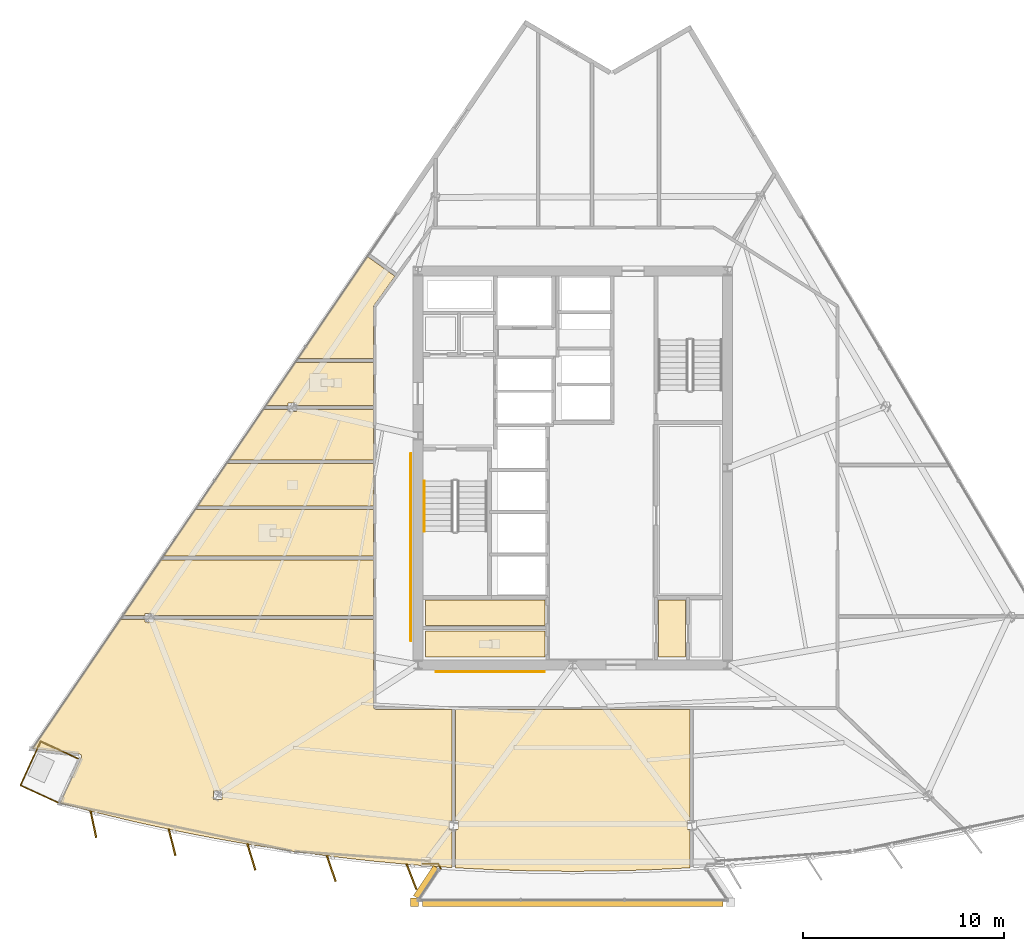
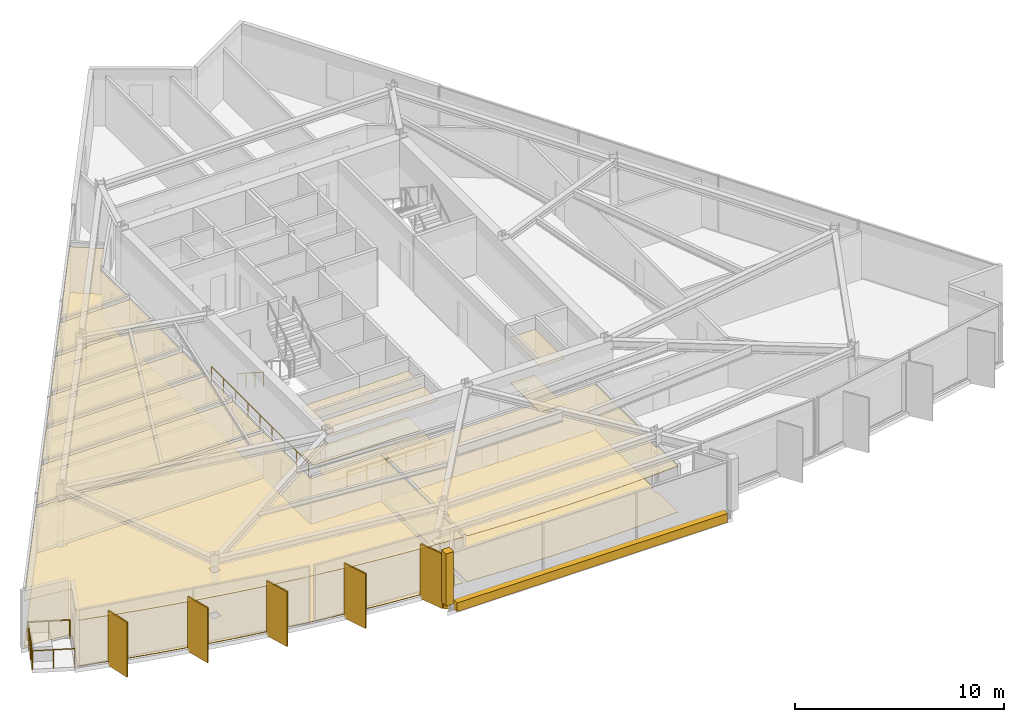
# One storey, part 12 of 16: 25 coverings, 7 railings, 5 shading devices.
"""IFC4 building model written with IfcOpenShell, lengths in metres."""

from ifc_helpers import new_model, si_unit, direction, frame, origin, origin_2d, place, context, subcontext, project, spatial, polyline, rectangle, circle, outline, extrude, material, layer, layer_set, type_object, element, save


model = new_model("IFC4")

# Units and contexts
model_context = context("Model", 3, precision=1e-05, world=origin(), true_north=direction((0.0, 1.0)))
body_context = subcontext(model_context, "Body", "Model", "MODEL_VIEW")
ifc_project = project(units=[si_unit("LENGTHUNIT", "METRE"), si_unit("AREAUNIT", "SQUARE_METRE"), si_unit("VOLUMEUNIT", "CUBIC_METRE"), si_unit("PLANEANGLEUNIT", "RADIAN"), si_unit("MASSUNIT", "GRAM", prefix="KILO")], contexts=[model_context])

# Site, building, storey
site_placement = place(None, origin())
site = spatial("IfcSite", under=ifc_project, at=site_placement, CompositionType="ELEMENT")
building_placement = place(site_placement, origin())
building = spatial("IfcBuilding", under=site, at=building_placement, Name="Savorim Split Tower", CompositionType="ELEMENT")
storey_placement = place(building_placement, frame((0.0, 0.0, 160.199951171875)))
storey = spatial("IfcBuildingStorey", under=building, at=storey_placement, Name="L42", CompositionType="ELEMENT", Elevation=160.199951171875)

# Coverings
ifc_material_1 = material(Name="Mineral Fibre Acoustic Ceiling")
ifc_layer_1 = layer(ifc_material_1, 0.02490234375)
ifc_layer_set_1 = layer_set([ifc_layer_1], Name="COV-CEIL-25")
covering_type_1 = type_object("IfcCoveringType", Name="COV-CEIL-25", PredefinedType="CEILING", material=ifc_layer_set_1)
covering_1_placement = place(storey_placement, frame((0.0, 0.0, 2.670166015625)))
element("IfcCovering", 1, at=covering_1_placement, inside=storey, type_object=covering_type_1, Name="L42 Cleaning Store Acoustic Ceiling", PredefinedType="CEILING", context=body_context, shape_type="SweptSolid", body=[
    extrude(outline(polyline([(-7.320068359375, -6.179931640625), (-7.320068359375, -7.43994140625), (-1.3798828125, -7.43994140625), (-1.3798828125, -6.179931640625), (-7.320068359375, -6.179931640625)])), origin(), (0.0, 0.0, 1.0), 0.02490234375),
])
covering_2_placement = place(storey_placement, frame((0.0, 0.0, 2.670166015625)))
element("IfcCovering", 2, at=covering_2_placement, inside=storey, type_object=covering_type_1, Name="L42 Public WC Acoustic Ceiling", PredefinedType="CEILING", context=body_context, shape_type="SweptSolid", body=[
    extrude(outline(polyline([(-7.320068359375, -7.719970703125), (-7.320068359375, -9.02001953125), (-1.3798828125, -9.02001953125), (-1.3798828125, -7.719970703125), (-7.320068359375, -7.719970703125)])), origin(), (0.0, 0.0, 1.0), 0.02490234375),
])
covering_3_placement = place(storey_placement, frame((0.0, 0.0, 2.670166015625)))
element("IfcCovering", 3, at=covering_3_placement, inside=storey, type_object=covering_type_1, Name="L42 Vending Pantry Acoustic Ceiling", PredefinedType="CEILING", context=body_context, shape_type="SweptSolid", body=[
    extrude(outline(polyline([(4.280029296875, -6.179931640625), (4.280029296875, -9.02001953125), (5.6201171875, -9.02001953125), (5.6201171875, -6.179931640625), (4.280029296875, -6.179931640625)])), origin(), (0.0, 0.0, 1.0), 0.02490234375),
])
covering_4_placement = place(storey_placement, frame((0.0, 0.0, 2.670166015625)))
element("IfcCovering", 4, at=covering_4_placement, inside=storey, type_object=covering_type_1, Name="L42 Shared Kitchen Acoustic Ceiling", PredefinedType="CEILING", context=body_context, shape_type="SweptSolid", body=[
    extrude(outline(polyline([(-17.236083984375, 0.607421875), (-18.665283203125, -1.49365234375), (-9.919921875, -1.49365234375), (-9.919921875, 0.607421875), (-17.236083984375, 0.607421875)])), origin(), (0.0, 0.0, 1.0), 0.02490234375),
])
covering_5_placement = place(storey_placement, frame((0.0, 0.0, 2.670166015625)))
element("IfcCovering", 5, at=covering_5_placement, inside=storey, type_object=covering_type_1, Name="L42 Shared Bathroom Acoustic Ceiling", PredefinedType="CEILING", context=body_context, shape_type="SweptSolid", body=[
    extrude(outline(polyline([(-18.79443359375, -1.68359375), (-20.364501953125, -3.99169921875), (-9.919921875, -3.99169921875), (-9.919921875, -1.68359375), (-18.79443359375, -1.68359375)])), origin(), (0.0, 0.0, 1.0), 0.02490234375),
])
covering_6_placement = place(storey_placement, frame((0.0, 0.0, 2.670166015625)))
element("IfcCovering", 6, at=covering_6_placement, inside=storey, type_object=covering_type_1, Name="L42 Maker Workshop Acoustic Ceiling", PredefinedType="CEILING", context=body_context, shape_type="SweptSolid", body=[
    extrude(outline(polyline([(-20.85498046875, -6.839111328125), (-20.85498046875, -6.957763671875), (-9.919921875, -6.957763671875), (-9.919921875, -4.181640625), (-20.493896484375, -4.181640625), (-22.38232421875, -6.957763671875), (-21.279052734375, -6.957763671875), (-21.279052734375, -6.839111328125), (-20.85498046875, -6.839111328125)])), origin(), (0.0, 0.0, 1.0), 0.02490234375),
])
covering_7_placement = place(storey_placement, frame((0.0, 0.0, 2.670166015625)))
element("IfcCovering", 7, at=covering_7_placement, inside=storey, type_object=covering_type_1, Name="L42 Co-Working Commons Acoustic Ceiling", PredefinedType="CEILING", context=body_context, shape_type="SweptSolid", body=[
    extrude(outline(polyline([(-24.447509765625, -13.9501953125), (-24.447265625, -13.9619140625), (-24.447998046875, -13.973876953125), (-24.4501953125, -13.985595703125), (-24.45361328125, -13.9970703125), (-24.4580078125, -14.00830078125), (-25.5048828125, -16.28662109375), (-23.711181640625, -16.755615234375), (-21.770263671875, -17.220947265625), (-19.8203125, -17.646484375), (-17.86181640625, -18.031982421875), (-15.89599609375, -18.37744140625), (-13.923828125, -18.6826171875), (-11.945556640625, -18.947265625), (-9.962158203125, -19.17138671875), (-7.974853515625, -19.35498046875), (-6.018310546875, -19.495361328125), (-6.018310546875, -17.608642578125), (-6.135498046875, -17.608642578125), (-6.135498046875, -17.181640625), (-6.018310546875, -17.181640625), (-6.018310546875, -11.6201171875), (-9.780029296875, -11.6201171875), (-9.793701171875, -11.619384765625), (-9.807373046875, -11.6171875), (-9.820556640625, -11.614013671875), (-9.83349609375, -11.609375), (-9.845947265625, -11.603515625), (-9.85791015625, -11.596435546875), (-9.868896484375, -11.588134765625), (-9.87890625, -11.5791015625), (-9.88818359375, -11.56884765625), (-9.896484375, -11.557861328125), (-9.903564453125, -11.5458984375), (-9.9091796875, -11.53369140625), (-9.9140625, -11.5205078125), (-9.917236328125, -11.50732421875), (-9.919189453125, -11.49365234375), (-9.919921875, -11.47998046875), (-9.919921875, -7.147705078125), (-20.85498046875, -7.147705078125), (-20.85498046875, -7.26611328125), (-21.279052734375, -7.26611328125), (-21.279052734375, -7.147705078125), (-22.386474609375, -7.147705078125), (-22.4814453125, -7.147705078125), (-22.4814453125, -7.103515625), (-26.88623046875, -13.578369140625), (-24.5537109375, -13.8388671875), (-24.5419921875, -13.8408203125), (-24.530517578125, -13.84375), (-24.519287109375, -13.847900390625), (-24.508544921875, -13.853271484375), (-24.49853515625, -13.859619140625), (-24.489013671875, -13.866943359375), (-24.48046875, -13.875244140625), (-24.47265625, -13.88427734375), (-24.4658203125, -13.893798828125), (-24.459716796875, -13.904296875), (-24.455078125, -13.915283203125), (-24.451416015625, -13.926513671875), (-24.44873046875, -13.938232421875), (-24.447509765625, -13.9501953125)]), holes=[polyline([(-17.885498046875, -16.10009765625), (-17.461669921875, -16.10009765625), (-17.461669921875, -15.673095703125), (-17.885498046875, -15.673095703125), (-17.885498046875, -16.10009765625)])]), origin(), (0.0, 0.0, 1.0), 0.02490234375),
])
covering_8_placement = place(storey_placement, frame((0.0, 0.0, 2.670166015625)))
element("IfcCovering", 8, at=covering_8_placement, inside=storey, type_object=covering_type_1, Name="L42 Co-Working Commons Acoustic Ceiling", PredefinedType="CEILING", context=body_context, shape_type="SweptSolid", body=[
    extrude(outline(polyline([(-1.99560546875, -19.6611328125), (0.0, -19.681640625), (1.99560546875, -19.6611328125), (3.99072265625, -19.599853515625), (5.828369140625, -19.505859375), (5.828369140625, -17.608642578125), (5.71142578125, -17.608642578125), (5.71142578125, -17.181640625), (5.828369140625, -17.181640625), (5.828369140625, -11.6201171875), (-5.828369140625, -11.6201171875), (-5.828369140625, -17.181640625), (-5.71142578125, -17.181640625), (-5.71142578125, -17.608642578125), (-5.828369140625, -17.608642578125), (-5.828369140625, -19.450927734375), (-5.828369140625, -19.505859375), (-3.99072265625, -19.599853515625), (-1.99560546875, -19.6611328125)])), origin(), (0.0, 0.0, 1.0), 0.02490234375),
])
covering_9_placement = place(storey_placement, frame((0.0, 0.0, 2.670166015625)))
element("IfcCovering", 9, at=covering_9_placement, inside=storey, type_object=covering_type_1, Name="L42 Co-Living Bedroom Acoustic Ceiling", PredefinedType="CEILING", context=body_context, shape_type="SweptSolid", body=[
    extrude(outline(polyline([(-9.908203125, 8.456298828125), (-9.901611328125, 8.46923828125), (-9.893798828125, 8.4814453125), (-8.849853515625, 9.938720703125), (-10.22021484375, 10.92041015625), (-13.677001953125, 5.839111328125), (-9.919921875, 5.839111328125), (-9.919921875, 8.39990234375), (-9.919189453125, 8.41455078125), (-9.9169921875, 8.4287109375), (-9.913330078125, 8.44287109375), (-9.908203125, 8.456298828125)])), origin(), (0.0, 0.0, 1.0), 0.02490234375),
])
covering_10_placement = place(storey_placement, frame((0.0, 0.0, 2.670166015625)))
element("IfcCovering", 10, at=covering_10_placement, inside=storey, type_object=covering_type_1, Name="L42 Shared Bathroom Acoustic Ceiling", PredefinedType="CEILING", context=body_context, shape_type="SweptSolid", body=[
    extrude(outline(polyline([(-13.7392578125, 3.620849609375), (-13.7392578125, 3.50244140625), (-9.919921875, 3.50244140625), (-9.919921875, 5.649169921875), (-13.80615234375, 5.649169921875), (-15.2666015625, 3.50244140625), (-14.163330078125, 3.50244140625), (-14.163330078125, 3.620849609375), (-13.7392578125, 3.620849609375)])), origin(), (0.0, 0.0, 1.0), 0.02490234375),
])
covering_11_placement = place(storey_placement, frame((0.0, 0.0, 2.670166015625)))
element("IfcCovering", 11, at=covering_11_placement, inside=storey, type_object=covering_type_1, Name="L42 Quiet Study Room Acoustic Ceiling", PredefinedType="CEILING", context=body_context, shape_type="SweptSolid", body=[
    extrude(outline(polyline([(-14.163330078125, 3.3125), (-15.270751953125, 3.3125), (-15.36572265625, 3.3125), (-15.36572265625, 3.356689453125), (-17.106689453125, 0.79736328125), (-9.919921875, 0.79736328125), (-9.919921875, 3.3125), (-13.7392578125, 3.3125), (-13.7392578125, 3.19384765625), (-14.163330078125, 3.19384765625), (-14.163330078125, 3.3125)])), origin(), (0.0, 0.0, 1.0), 0.02490234375),
])
ifc_material_2 = material(Name="Porcelain Stoneware Flooring", Category="masonry")
ifc_layer_2 = layer(ifc_material_2, 0.02001953125)
ifc_layer_set_2 = layer_set([ifc_layer_2], Name="COV-FLOR-20")
covering_type_2 = type_object("IfcCoveringType", Name="COV-FLOR-20", PredefinedType="FLOORING", material=ifc_layer_set_2)
covering_12_placement = place(storey_placement, origin())
element("IfcCovering", 12, at=covering_12_placement, inside=storey, type_object=covering_type_2, Name="L42 Cleaning Store Porcelain Flooring", PredefinedType="FLOORING", context=body_context, shape_type="SweptSolid", body=[
    extrude(outline(polyline([(-7.320068359375, -6.179931640625), (-7.320068359375, -7.43994140625), (-1.3798828125, -7.43994140625), (-1.3798828125, -6.179931640625), (-7.320068359375, -6.179931640625)])), origin(), (0.0, 0.0, 1.0), 0.02001953125),
])
covering_13_placement = place(storey_placement, origin())
element("IfcCovering", 13, at=covering_13_placement, inside=storey, type_object=covering_type_2, Name="L42 Public WC Porcelain Flooring", PredefinedType="FLOORING", context=body_context, shape_type="SweptSolid", body=[
    extrude(outline(polyline([(-7.320068359375, -7.719970703125), (-7.320068359375, -9.02001953125), (-1.3798828125, -9.02001953125), (-1.3798828125, -7.719970703125), (-7.320068359375, -7.719970703125)])), origin(), (0.0, 0.0, 1.0), 0.02001953125),
])
covering_14_placement = place(storey_placement, origin())
element("IfcCovering", 14, at=covering_14_placement, inside=storey, type_object=covering_type_2, Name="L42 Vending Pantry Porcelain Flooring", PredefinedType="FLOORING", context=body_context, shape_type="SweptSolid", body=[
    extrude(outline(polyline([(4.280029296875, -6.179931640625), (4.280029296875, -9.02001953125), (5.6201171875, -9.02001953125), (5.6201171875, -6.179931640625), (4.280029296875, -6.179931640625)])), origin(), (0.0, 0.0, 1.0), 0.02001953125),
])
covering_15_placement = place(storey_placement, origin())
element("IfcCovering", 15, at=covering_15_placement, inside=storey, type_object=covering_type_2, Name="L42 Shared Kitchen Porcelain Flooring", PredefinedType="FLOORING", context=body_context, shape_type="SweptSolid", body=[
    extrude(outline(polyline([(-17.236083984375, 0.607421875), (-18.665283203125, -1.49365234375), (-9.919921875, -1.49365234375), (-9.919921875, 0.607421875), (-17.236083984375, 0.607421875)])), origin(), (0.0, 0.0, 1.0), 0.02001953125),
])
covering_16_placement = place(storey_placement, origin())
element("IfcCovering", 16, at=covering_16_placement, inside=storey, type_object=covering_type_2, Name="L42 Shared Bathroom Porcelain Flooring", PredefinedType="FLOORING", context=body_context, shape_type="SweptSolid", body=[
    extrude(outline(polyline([(-18.79443359375, -1.68359375), (-20.364501953125, -3.99169921875), (-9.919921875, -3.99169921875), (-9.919921875, -1.68359375), (-18.79443359375, -1.68359375)])), origin(), (0.0, 0.0, 1.0), 0.02001953125),
])
covering_17_placement = place(storey_placement, origin())
element("IfcCovering", 17, at=covering_17_placement, inside=storey, type_object=covering_type_2, Name="L42 Maker Workshop Porcelain Flooring", PredefinedType="FLOORING", context=body_context, shape_type="SweptSolid", body=[
    extrude(outline(polyline([(-20.85498046875, -6.839111328125), (-20.85498046875, -6.957763671875), (-9.919921875, -6.957763671875), (-9.919921875, -4.181640625), (-20.493896484375, -4.181640625), (-22.38232421875, -6.957763671875), (-21.279052734375, -6.957763671875), (-21.279052734375, -6.839111328125), (-20.85498046875, -6.839111328125)])), origin(), (0.0, 0.0, 1.0), 0.02001953125),
])
covering_18_placement = place(storey_placement, origin())
element("IfcCovering", 18, at=covering_18_placement, inside=storey, type_object=covering_type_2, Name="L42 Co-Working Commons Porcelain Flooring", PredefinedType="FLOORING", context=body_context, shape_type="SweptSolid", body=[
    extrude(outline(polyline([(-24.447509765625, -13.9501953125), (-24.447265625, -13.9619140625), (-24.447998046875, -13.973876953125), (-24.4501953125, -13.985595703125), (-24.45361328125, -13.9970703125), (-24.4580078125, -14.00830078125), (-25.5048828125, -16.28662109375), (-23.711181640625, -16.755615234375), (-21.770263671875, -17.220947265625), (-19.8203125, -17.646484375), (-17.86181640625, -18.031982421875), (-15.89599609375, -18.37744140625), (-13.923828125, -18.6826171875), (-11.945556640625, -18.947265625), (-9.962158203125, -19.17138671875), (-7.974853515625, -19.35498046875), (-6.018310546875, -19.495361328125), (-6.018310546875, -17.608642578125), (-6.135498046875, -17.608642578125), (-6.135498046875, -17.181640625), (-6.018310546875, -17.181640625), (-6.018310546875, -11.6201171875), (-9.780029296875, -11.6201171875), (-9.793701171875, -11.619384765625), (-9.807373046875, -11.6171875), (-9.820556640625, -11.614013671875), (-9.83349609375, -11.609375), (-9.845947265625, -11.603515625), (-9.85791015625, -11.596435546875), (-9.868896484375, -11.588134765625), (-9.87890625, -11.5791015625), (-9.88818359375, -11.56884765625), (-9.896484375, -11.557861328125), (-9.903564453125, -11.5458984375), (-9.9091796875, -11.53369140625), (-9.9140625, -11.5205078125), (-9.917236328125, -11.50732421875), (-9.919189453125, -11.49365234375), (-9.919921875, -11.47998046875), (-9.919921875, -7.147705078125), (-20.85498046875, -7.147705078125), (-20.85498046875, -7.26611328125), (-21.279052734375, -7.26611328125), (-21.279052734375, -7.147705078125), (-22.386474609375, -7.147705078125), (-22.4814453125, -7.147705078125), (-22.4814453125, -7.103515625), (-26.88623046875, -13.578369140625), (-24.5537109375, -13.8388671875), (-24.5419921875, -13.8408203125), (-24.530517578125, -13.84375), (-24.519287109375, -13.847900390625), (-24.508544921875, -13.853271484375), (-24.49853515625, -13.859619140625), (-24.489013671875, -13.866943359375), (-24.48046875, -13.875244140625), (-24.47265625, -13.88427734375), (-24.4658203125, -13.893798828125), (-24.459716796875, -13.904296875), (-24.455078125, -13.915283203125), (-24.451416015625, -13.926513671875), (-24.44873046875, -13.938232421875), (-24.447509765625, -13.9501953125)]), holes=[polyline([(-17.885498046875, -16.10009765625), (-17.461669921875, -16.10009765625), (-17.461669921875, -15.673095703125), (-17.885498046875, -15.673095703125), (-17.885498046875, -16.10009765625)])]), origin(), (0.0, 0.0, 1.0), 0.02001953125),
])
covering_19_placement = place(storey_placement, origin())
element("IfcCovering", 19, at=covering_19_placement, inside=storey, type_object=covering_type_2, Name="L42 Co-Working Commons Porcelain Flooring", PredefinedType="FLOORING", context=body_context, shape_type="SweptSolid", body=[
    extrude(outline(polyline([(-1.99560546875, -19.6611328125), (0.0, -19.681640625), (1.99560546875, -19.6611328125), (3.99072265625, -19.599853515625), (5.828369140625, -19.505859375), (5.828369140625, -17.608642578125), (5.71142578125, -17.608642578125), (5.71142578125, -17.181640625), (5.828369140625, -17.181640625), (5.828369140625, -11.6201171875), (-5.828369140625, -11.6201171875), (-5.828369140625, -17.181640625), (-5.71142578125, -17.181640625), (-5.71142578125, -17.608642578125), (-5.828369140625, -17.608642578125), (-5.828369140625, -19.450927734375), (-5.828369140625, -19.505859375), (-3.99072265625, -19.599853515625), (-1.99560546875, -19.6611328125)])), origin(), (0.0, 0.0, 1.0), 0.02001953125),
])
covering_20_placement = place(storey_placement, origin())
element("IfcCovering", 20, at=covering_20_placement, inside=storey, type_object=covering_type_2, Name="L42 Co-Living Bedroom Porcelain Flooring", PredefinedType="FLOORING", context=body_context, shape_type="SweptSolid", body=[
    extrude(outline(polyline([(-9.908203125, 8.456298828125), (-9.901611328125, 8.46923828125), (-9.893798828125, 8.4814453125), (-8.849853515625, 9.938720703125), (-10.22021484375, 10.92041015625), (-13.677001953125, 5.839111328125), (-9.919921875, 5.839111328125), (-9.919921875, 8.39990234375), (-9.919189453125, 8.41455078125), (-9.9169921875, 8.4287109375), (-9.913330078125, 8.44287109375), (-9.908203125, 8.456298828125)])), origin(), (0.0, 0.0, 1.0), 0.02001953125),
])
covering_21_placement = place(storey_placement, origin())
element("IfcCovering", 21, at=covering_21_placement, inside=storey, type_object=covering_type_2, Name="L42 Shared Bathroom Porcelain Flooring", PredefinedType="FLOORING", context=body_context, shape_type="SweptSolid", body=[
    extrude(outline(polyline([(-13.7392578125, 3.620849609375), (-13.7392578125, 3.50244140625), (-9.919921875, 3.50244140625), (-9.919921875, 5.649169921875), (-13.80615234375, 5.649169921875), (-15.2666015625, 3.50244140625), (-14.163330078125, 3.50244140625), (-14.163330078125, 3.620849609375), (-13.7392578125, 3.620849609375)])), origin(), (0.0, 0.0, 1.0), 0.02001953125),
])
covering_22_placement = place(storey_placement, origin())
element("IfcCovering", 22, at=covering_22_placement, inside=storey, type_object=covering_type_2, Name="L42 Quiet Study Room Porcelain Flooring", PredefinedType="FLOORING", context=body_context, shape_type="SweptSolid", body=[
    extrude(outline(polyline([(-14.163330078125, 3.3125), (-15.270751953125, 3.3125), (-15.36572265625, 3.3125), (-15.36572265625, 3.356689453125), (-17.106689453125, 0.79736328125), (-9.919921875, 0.79736328125), (-9.919921875, 3.3125), (-13.7392578125, 3.3125), (-13.7392578125, 3.19384765625), (-14.163330078125, 3.19384765625), (-14.163330078125, 3.3125)])), origin(), (0.0, 0.0, 1.0), 0.02001953125),
])
ifc_material_3 = material(Name="White Porcelain Architectural Cladding")
ifc_layer_3 = layer(ifc_material_3, 0.139892578125)
ifc_layer_set_3 = layer_set([ifc_layer_3], Name="COV-FRM-WHITE")
covering_type_3 = type_object("IfcCoveringType", Name="COV-FRM-WHITE", PredefinedType="CLADDING", material=ifc_layer_set_3)
covering_23_placement = place(storey_placement, frame((0.0, 0.0, 0.010009765625)))
element("IfcCovering", 23, at=covering_23_placement, inside=storey, type_object=covering_type_3, Name="L42 Cantilevered Lounge White Lower Frame Band W", PredefinedType="CLADDING", context=body_context, shape_type="SweptSolid", body=[
    extrude(outline(polyline([(-6.924560546875, -19.3896484375), (-7.923095703125, -20.88720703125), (-7.64013671875, -21.07568359375), (-6.6416015625, -19.578125), (-6.924560546875, -19.3896484375)])), origin(), (0.0, 0.0, 1.0), 0.510009765625),
])
covering_24_placement = place(storey_placement, frame((0.0, 0.0, 0.010009765625)))
element("IfcCovering", 24, at=covering_24_placement, inside=storey, type_object=covering_type_3, Name="L42 Cantilevered Lounge White Lower Frame Band F", PredefinedType="CLADDING", context=body_context, shape_type="SweptSolid", body=[
    extrude(outline(polyline([(-7.47314453125, -21.428955078125), (7.47314453125, -21.428955078125), (7.47314453125, -21.0888671875), (-7.47314453125, -21.0888671875), (-7.47314453125, -21.428955078125)])), origin(), (0.0, 0.0, 1.0), 0.510009765625),
])
covering_25_placement = place(storey_placement, frame((0.0, 0.0, 0.5400390625)))
element("IfcCovering", 25, at=covering_25_placement, inside=storey, type_object=covering_type_3, Name="L42 Cantilevered Lounge White Frame Corner Post 1", PredefinedType="CLADDING", context=body_context, shape_type="SweptSolid", body=[
    extrude(outline(polyline([(-8.0830078125, -21.4189453125), (-7.6630859375, -21.4189453125), (-7.6630859375, -20.998779296875), (-8.0830078125, -20.998779296875), (-8.0830078125, -21.4189453125)])), origin(), (0.0, 0.0, 1.0), 3.050048828125),
])

# Railings
ifc_material_4 = material(Name="Galvanised Painted Steel Balustrade", Category="steel")
railing_type_1 = type_object("IfcRailingType", Name="RLG-BAL-1100", PredefinedType="BALUSTRADE", material=ifc_material_4)
railing_1_placement = place(storey_placement, frame((-7.47705078125, -19.294921875, 0.0)))
element("IfcRailing", 26, at=railing_1_placement, inside=storey, type_object=railing_type_1, Name="L42 Cantilevered Lounge West Edge Closure Guard", PredefinedType="BALUSTRADE", context=body_context, shape_type="SweptSolid", body=[
    extrude(circle(Radius=0.02392578125, at=origin_2d()), frame((0.0, 0.0, 1.076171875), z_axis=(1.0, 0.0, 0.0), x_axis=(0.0, 1.0, 0.0)), (0.0, 0.0, 1.0), 0.780029296875),
    extrude(circle(Radius=0.02392578125, at=origin_2d()), frame((0.780029296875, 0.0, 1.076171875), z_axis=(0.45423723054, -0.89088076553, 0.0), x_axis=(0.89088076553, 0.45423723054, 0.0)), (0.0, 0.0, 1.0), 0.30517578125),
    extrude(circle(Radius=0.02099609375, at=origin_2d()), origin(), (0.0, 0.0, 1.0), 1.052001953125),
    extrude(circle(Radius=0.02099609375, at=origin_2d()), frame((0.780029296875, 0.0, 0.0)), (0.0, 0.0, 1.0), 1.052001953125),
    extrude(circle(Radius=0.02099609375, at=origin_2d()), frame((0.918701171875, -0.27197265625, 0.0)), (0.0, 0.0, 1.0), 1.052001953125),
])
railing_2_placement = place(storey_placement, frame((-25.62353515625, -16.25732421875, 0.0)))
element("IfcRailing", 27, at=railing_2_placement, inside=storey, type_object=railing_type_1, Name="L42 Tree Balcony Guardrail SW-1", PredefinedType="BALUSTRADE", context=body_context, shape_type="SweptSolid", body=[
    extrude(circle(Radius=0.02392578125, at=origin_2d()), frame((0.0, 0.0, 1.076171875), z_axis=(-0.908707369925, 0.417433726289, 0.0), x_axis=(-0.417433726289, -0.908707369925, 0.0)), (0.0, 0.0, 1.0), 2.050048828125),
    extrude(circle(Radius=0.02099609375, at=origin_2d()), origin(), (0.0, 0.0, 1.0), 1.052001953125),
    extrude(circle(Radius=0.02099609375, at=origin_2d()), frame((-0.931396484375, 0.427734375, 0.0)), (0.0, 0.0, 1.0), 1.052001953125),
    extrude(circle(Radius=0.02099609375, at=origin_2d()), frame((-1.86279296875, 0.855712890625, 0.0)), (0.0, 0.0, 1.0), 1.052001953125),
])
railing_3_placement = place(storey_placement, frame((-27.486328125, -15.401611328125, 0.0)))
element("IfcRailing", 28, at=railing_3_placement, inside=storey, type_object=railing_type_1, Name="L42 Tree Balcony Guardrail SW-2", PredefinedType="BALUSTRADE", context=body_context, shape_type="SweptSolid", body=[
    extrude(circle(Radius=0.02392578125, at=origin_2d()), frame((0.0, 0.0, 1.076171875), z_axis=(0.417477569656, 0.908687228277, 0.0), x_axis=(-0.908687228277, 0.417477569656, 0.0)), (0.0, 0.0, 1.0), 2.41064453125),
    extrude(circle(Radius=0.02099609375, at=origin_2d()), origin(), (0.0, 0.0, 1.0), 1.052001953125),
    extrude(circle(Radius=0.02099609375, at=origin_2d()), frame((0.33544921875, 0.730224609375, 0.0)), (0.0, 0.0, 1.0), 1.052001953125),
    extrude(circle(Radius=0.02099609375, at=origin_2d()), frame((0.6708984375, 1.460205078125, 0.0)), (0.0, 0.0, 1.0), 1.052001953125),
    extrude(circle(Radius=0.02099609375, at=origin_2d()), frame((1.00634765625, 2.1904296875, 0.0)), (0.0, 0.0, 1.0), 1.052001953125),
])
railing_4_placement = place(storey_placement, frame((-26.47998046875, -13.211181640625, 0.0)))
element("IfcRailing", 29, at=railing_4_placement, inside=storey, type_object=railing_type_1, Name="L42 Tree Balcony Guardrail SW-3", PredefinedType="BALUSTRADE", context=body_context, shape_type="SweptSolid", body=[
    extrude(circle(Radius=0.02392578125, at=origin_2d()), frame((0.0, 0.0, 1.076171875), z_axis=(0.908662190505, -0.417532062898, 0.0), x_axis=(0.417532062898, 0.908662190505, 0.0)), (0.0, 0.0, 1.0), 2.050048828125),
    extrude(circle(Radius=0.02099609375, at=origin_2d()), origin(), (0.0, 0.0, 1.0), 1.052001953125),
    extrude(circle(Radius=0.02099609375, at=origin_2d()), frame((0.931396484375, -0.427978515625, 0.0)), (0.0, 0.0, 1.0), 1.052001953125),
    extrude(circle(Radius=0.02099609375, at=origin_2d()), frame((1.86279296875, -0.85595703125, 0.0)), (0.0, 0.0, 1.0), 1.052001953125),
])
railing_type_2 = type_object("IfcRailingType", Name="RLG-HR-900", PredefinedType="HANDRAIL", material=ifc_material_4)
railing_5_placement = place(storey_placement, frame((-7.39990234375, -0.25, 0.179931640625)))
element("IfcRailing", 30, at=railing_5_placement, inside=storey, type_object=railing_type_2, Name="L42 ST-1 stair handrail 1", PredefinedType="HANDRAIL", context=body_context, shape_type="SweptSolid", body=[
    extrude(circle(Radius=0.02392578125, at=origin_2d()), frame((0.0, 0.0, 0.8759765625), z_axis=(0.0, -0.841162588446, 0.540782303519), x_axis=(1.0, 0.0, 0.0)), (0.0, 0.0, 1.0), 2.995849609375),
    extrude(circle(Radius=0.02099609375, at=origin_2d()), origin(), (0.0, 0.0, 1.0), 0.851806640625),
    extrude(circle(Radius=0.02099609375, at=origin_2d()), frame((0.0, -0.840087890625, 0.5400390625)), (0.0, 0.0, 1.0), 0.851806640625),
    extrude(circle(Radius=0.02099609375, at=origin_2d()), frame((0.0, -1.679931640625, 1.080078125)), (0.0, 0.0, 1.0), 0.851806640625),
    extrude(circle(Radius=0.02099609375, at=origin_2d()), frame((0.0, -2.52001953125, 1.6201171875)), (0.0, 0.0, 1.0), 0.851806640625),
])
railing_6_placement = place(storey_placement, frame((-6.800048828125, -9.75, 0.0)))
element("IfcRailing", 31, at=railing_6_placement, inside=storey, type_object=railing_type_2, Name="L42 Corridor South Accessible Handrail", PredefinedType="HANDRAIL", context=body_context, shape_type="SweptSolid", body=[
    extrude(circle(Radius=0.02392578125, at=origin_2d()), frame((0.0, 0.0, 0.8759765625), z_axis=(1.0, 0.0, 0.0), x_axis=(0.0, 1.0, 0.0)), (0.0, 0.0, 1.0), 5.400146484375),
    extrude(circle(Radius=0.02099609375, at=origin_2d()), origin(), (0.0, 0.0, 1.0), 0.851806640625),
    extrude(circle(Radius=0.02099609375, at=origin_2d()), frame((1.080078125, 0.0, 0.0)), (0.0, 0.0, 1.0), 0.851806640625),
    extrude(circle(Radius=0.02099609375, at=origin_2d()), frame((2.16015625, 0.0, 0.0)), (0.0, 0.0, 1.0), 0.851806640625),
    extrude(circle(Radius=0.02099609375, at=origin_2d()), frame((3.239990234375, 0.0, 0.0)), (0.0, 0.0, 1.0), 0.851806640625),
    extrude(circle(Radius=0.02099609375, at=origin_2d()), frame((4.320068359375, 0.0, 0.0)), (0.0, 0.0, 1.0), 0.851806640625),
    extrude(circle(Radius=0.02099609375, at=origin_2d()), frame((5.400146484375, 0.0, 0.0)), (0.0, 0.0, 1.0), 0.851806640625),
])
railing_7_placement = place(storey_placement, frame((-8.050048828125, -8.199951171875, 0.0)))
element("IfcRailing", 32, at=railing_7_placement, inside=storey, type_object=railing_type_2, Name="L42 Corridor West Accessible Handrail", PredefinedType="HANDRAIL", context=body_context, shape_type="SweptSolid", body=[
    extrude(circle(Radius=0.02392578125, at=origin_2d()), frame((0.0, 0.0, 0.8759765625), z_axis=(0.0, 1.0, 0.0), x_axis=(-1.0, 0.0, 0.0)), (0.0, 0.0, 1.0), 9.300048828125),
    extrude(circle(Radius=0.02099609375, at=origin_2d()), origin(), (0.0, 0.0, 1.0), 0.851806640625),
    extrude(circle(Radius=0.02099609375, at=origin_2d()), frame((0.0, 1.16259765625, 0.0)), (0.0, 0.0, 1.0), 0.851806640625),
    extrude(circle(Radius=0.02099609375, at=origin_2d()), frame((0.0, 2.324951171875, 0.0)), (0.0, 0.0, 1.0), 0.851806640625),
    extrude(circle(Radius=0.02099609375, at=origin_2d()), frame((0.0, 3.487548828125, 0.0)), (0.0, 0.0, 1.0), 0.851806640625),
    extrude(circle(Radius=0.02099609375, at=origin_2d()), frame((0.0, 4.64990234375, 0.0)), (0.0, 0.0, 1.0), 0.851806640625),
    extrude(circle(Radius=0.02099609375, at=origin_2d()), frame((0.0, 5.8125, 0.0)), (0.0, 0.0, 1.0), 0.851806640625),
    extrude(circle(Radius=0.02099609375, at=origin_2d()), frame((0.0, 6.97509765625, 0.0)), (0.0, 0.0, 1.0), 0.851806640625),
    extrude(circle(Radius=0.02099609375, at=origin_2d()), frame((0.0, 8.137451171875, 0.0)), (0.0, 0.0, 1.0), 0.851806640625),
    extrude(circle(Radius=0.02099609375, at=origin_2d()), frame((0.0, 9.300048828125, 0.0)), (0.0, 0.0, 1.0), 0.851806640625),
])

# Shading devices
ifc_material_5 = material(Name="Terracotta Ceramic-Coated Aluminium Fin", Category="masonry")
shading_device_type = type_object("IfcShadingDeviceType", Name="SHD-FIN-1360", PredefinedType="USERDEFINED", material=ifc_material_5)
for number, where, z_axis, x_axis, name in (
    (33, (-23.85595703125, -17.333740234375, -0.19970703125), (0.0, 0.0, 1.0), (0.206721626106, -0.978399800337, 0.0), "L42 Sawtooth Shading Fin 01"),
    (34, (-19.94140625, -18.22998046875, -0.19970703125), (0.0, 0.0, 1.0), (0.246581250663, -0.969122121727, 0.0), "L42 Sawtooth Shading Fin 02"),
    (35, (-15.993408203125, -18.965576171875, -0.19970703125), (0.0, 0.0, 1.0), (0.286026212504, -0.958221793616, 0.0), "L42 Sawtooth Shading Fin 03"),
    (36, (-12.0185546875, -19.538818359375, -0.19970703125), (0.0, 0.0, 1.0), (0.324993810493, -0.945716143005, 0.0), "L42 Sawtooth Shading Fin 04"),
    (37, (-8.0234375, -19.948974609375, -0.19970703125), (0.0, 0.0, 1.0), (0.363415461732, -0.931627179817, 0.0), "L42 Sawtooth Shading Fin 05"),
):
    element("IfcShadingDevice", number, at=place(storey_placement, frame(where, z_axis=z_axis, x_axis=x_axis)), inside=storey, type_object=shading_device_type, Name=name, ObjectType="FIN", PredefinedType="USERDEFINED", context=body_context, shape_type="SweptSolid", body=[
        extrude(rectangle(XDim=1.360107421875, YDim=0.080078125, at=origin_2d()), origin(), (0.0, 0.0, 1.0), 3.199951171875),
    ])

save(model, "model.ifc")
